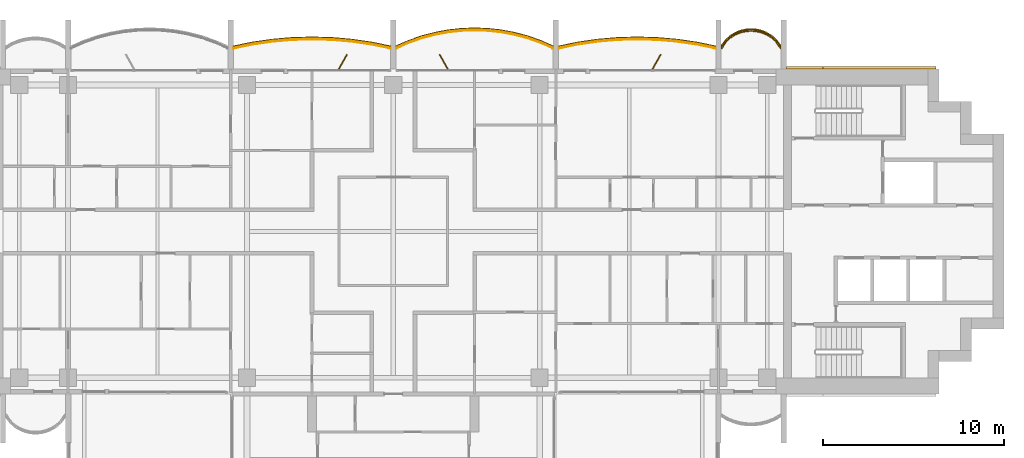
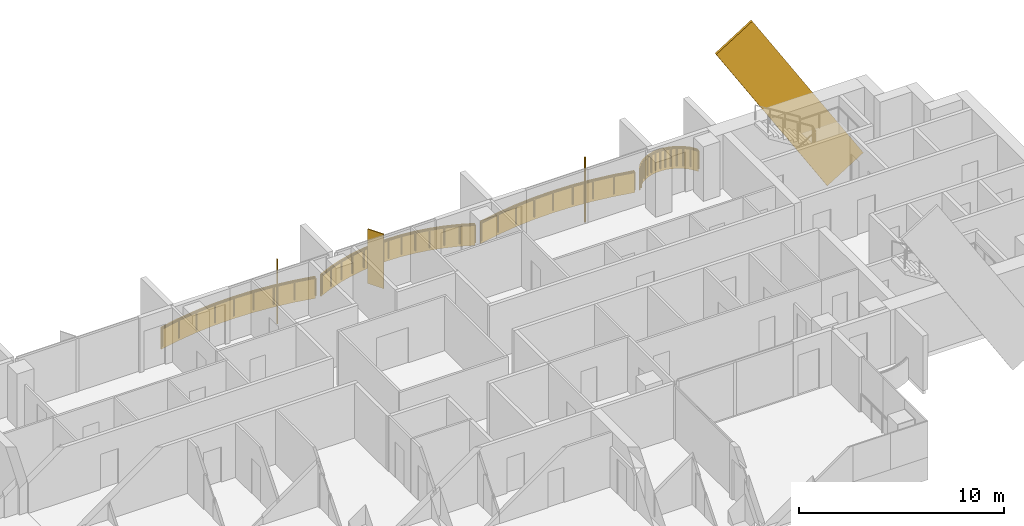
# One storey, part 17 of 17: 5 coverings, 4 railings, 3 shading devices.
"""IFC4 building model written with IfcOpenShell, lengths in metres."""

from ifc_helpers import new_model, si_unit, direction, frame, origin, origin_2d, place, context, subcontext, project, spatial, polyline, rectangle, outline, extrude, material, layer, layer_set, material_profile, profile_set, type_object, element, save


model = new_model("IFC4")

# Units and contexts
model_context = context("Model", 3, precision=1e-05, world=origin(), true_north=direction((0.0, 1.0)))
body_context = subcontext(model_context, "Body", "Model", "MODEL_VIEW")
ifc_project = project(units=[si_unit("LENGTHUNIT", "METRE"), si_unit("AREAUNIT", "SQUARE_METRE"), si_unit("VOLUMEUNIT", "CUBIC_METRE"), si_unit("PLANEANGLEUNIT", "RADIAN"), si_unit("MASSUNIT", "GRAM", prefix="KILO")], contexts=[model_context])

# Site, building, storey
site_placement = place(None, origin())
site = spatial("IfcSite", under=ifc_project, at=site_placement, CompositionType="ELEMENT")
building_placement = place(site_placement, origin())
building = spatial("IfcBuilding", under=site, at=building_placement, Name="Perihelion Cross Residences", CompositionType="ELEMENT")
storey_placement = place(building_placement, frame((0.0, 0.0, 208.60009765625)))
storey = spatial("IfcBuildingStorey", under=building, at=storey_placement, Name="L52", CompositionType="ELEMENT", Elevation=208.60009765625)

# Coverings
ifc_material_1 = material(Name="Bronze anodised aluminium", Category="aluminium")
ifc_layer_1 = layer(ifc_material_1, 0.070068359375)
ifc_layer_set_1 = layer_set([ifc_layer_1], Name="Balcony fascia 1300")
covering_type_1 = type_object("IfcCoveringType", Name="Balcony fascia 1300", PredefinedType="CLADDING", material=ifc_layer_set_1)
covering_1_placement = place(storey_placement, frame((0.0, 0.0, -0.2001953125)))
element("IfcCovering", 1, at=covering_1_placement, inside=storey, type_object=covering_type_1, Name="Fascia BF1 L52 east side north bay 1", PredefinedType="CLADDING", context=body_context, shape_type="SweptSolid", body=[
    extrude(outline(polyline([(21.226318359375, 10.616455078125), (20.94091796875, 10.86328125), (20.655517578125, 11.031494140625), (20.370361328125, 11.142578125), (20.085205078125, 11.206298828125), (19.800048828125, 11.22705078125), (19.514892578125, 11.206298828125), (19.229736328125, 11.142578125), (18.9443359375, 11.031494140625), (18.6591796875, 10.86328125), (18.373779296875, 10.616455078125), (18.14990234375, 10.31689453125), (18.14990234375, 10.199951171875), (18.425048828125, 10.568603515625), (18.699951171875, 10.806396484375), (18.97509765625, 10.96875), (19.25, 11.07568359375), (19.52490234375, 11.136962890625), (19.800048828125, 11.156982421875), (20.074951171875, 11.136962890625), (20.35009765625, 11.07568359375), (20.625, 10.96875), (20.89990234375, 10.806396484375), (21.175048828125, 10.568603515625), (21.449951171875, 10.199951171875), (21.449951171875, 10.31689453125), (21.226318359375, 10.616455078125)])), origin(), (0.0, 0.0, 1.0), 1.300048828125),
])
covering_2_placement = place(storey_placement, frame((0.0, 0.0, -0.2001953125)))
element("IfcCovering", 2, at=covering_2_placement, inside=storey, type_object=covering_type_1, Name="Fascia BF1 L52 east side north bay 2", PredefinedType="CLADDING", context=body_context, shape_type="SweptSolid", body=[
    extrude(outline(polyline([(16.7744140625, 10.4892578125), (15.682861328125, 10.645751953125), (14.591552734375, 10.739013671875), (13.5, 10.77001953125), (12.408447265625, 10.739013671875), (11.317138671875, 10.645751953125), (10.2255859375, 10.4892578125), (9.14990234375, 10.271484375), (9.14990234375, 10.199951171875), (10.237548828125, 10.42041015625), (11.324951171875, 10.576171875), (12.41259765625, 10.669189453125), (13.5, 10.699951171875), (14.58740234375, 10.669189453125), (15.675048828125, 10.576171875), (16.762451171875, 10.42041015625), (17.85009765625, 10.199951171875), (17.85009765625, 10.271484375), (16.7744140625, 10.4892578125)])), origin(), (0.0, 0.0, 1.0), 1.300048828125),
])
covering_3_placement = place(storey_placement, frame((0.0, 0.0, -0.2001953125)))
element("IfcCovering", 3, at=covering_3_placement, inside=storey, type_object=covering_type_1, Name="Fascia BF1 L52 north side east bay 1", PredefinedType="CLADDING", context=body_context, shape_type="SweptSolid", body=[
    extrude(outline(polyline([(8.150634765625, 10.582275390625), (7.42041015625, 10.83544921875), (6.690185546875, 11.028076171875), (5.960205078125, 11.1630859375), (5.22998046875, 11.243408203125), (4.5, 11.27001953125), (3.77001953125, 11.243408203125), (3.039794921875, 11.1630859375), (2.309814453125, 11.028076171875), (1.57958984375, 10.83544921875), (0.849365234375, 10.582275390625), (0.14990234375, 10.2763671875), (0.14990234375, 10.199951171875), (0.875, 10.51708984375), (1.60009765625, 10.7685546875), (2.324951171875, 10.959716796875), (3.050048828125, 11.093994140625), (3.77490234375, 11.173583984375), (4.5, 11.199951171875), (5.22509765625, 11.173583984375), (5.949951171875, 11.093994140625), (6.675048828125, 10.959716796875), (7.39990234375, 10.7685546875), (8.125, 10.51708984375), (8.85009765625, 10.199951171875), (8.85009765625, 10.2763671875), (8.150634765625, 10.582275390625)])), origin(), (0.0, 0.0, 1.0), 1.300048828125),
])
covering_4_placement = place(storey_placement, frame((0.0, 0.0, -0.2001953125)))
element("IfcCovering", 4, at=covering_4_placement, inside=storey, type_object=covering_type_1, Name="Fascia BF1 L52 north side east bay 2", PredefinedType="CLADDING", context=body_context, shape_type="SweptSolid", body=[
    extrude(outline(polyline([(-1.2255859375, 10.4892578125), (-2.317138671875, 10.645751953125), (-3.408447265625, 10.739013671875), (-4.5, 10.77001953125), (-5.591552734375, 10.739013671875), (-6.682861328125, 10.645751953125), (-7.7744140625, 10.4892578125), (-8.85009765625, 10.271484375), (-8.85009765625, 10.199951171875), (-7.762451171875, 10.42041015625), (-6.675048828125, 10.576171875), (-5.58740234375, 10.669189453125), (-4.5, 10.699951171875), (-3.41259765625, 10.669189453125), (-2.324951171875, 10.576171875), (-1.237548828125, 10.42041015625), (-0.14990234375, 10.199951171875), (-0.14990234375, 10.271484375), (-1.2255859375, 10.4892578125)])), origin(), (0.0, 0.0, 1.0), 1.300048828125),
])

# Railings
ifc_material_2 = material(Name="Bronze anodised aluminium", Category="aluminium")
railing_type = type_object("IfcRailingType", Name="Balcony guard 1100", PredefinedType="GUARDRAIL", material=ifc_material_2)
railing_1_placement = place(storey_placement, frame((21.425048828125, 10.139892578125, 0.0)))
element("IfcRailing", 5, at=railing_1_placement, inside=storey, type_object=railing_type, Name="Guard GU1 L52 east side north bay 1 balcony", PredefinedType="GUARDRAIL", context=body_context, shape_type="SweptSolid", body=[
    extrude(rectangle(XDim=0.048095703125, YDim=0.048095703125, at=origin_2d()), frame((0.0, 0.0, 1.076171875), z_axis=(-0.561260132269, 0.827639452857, 0.0), x_axis=(-0.827639452857, -0.561260132269, 0.0)), (0.0, 0.0, 1.0), 0.4453125),
    extrude(rectangle(XDim=0.048095703125, YDim=0.048095703125, at=origin_2d()), frame((-0.25, 0.36865234375, 1.076171875), z_axis=(-0.756596535164, 0.653882009982, 0.0), x_axis=(-0.653882009982, -0.756596535164, 0.0)), (0.0, 0.0, 1.0), 0.36376953125),
    extrude(rectangle(XDim=0.048095703125, YDim=0.048095703125, at=origin_2d()), frame((-0.525146484375, 0.6064453125, 1.076171875), z_axis=(-0.861048292884, 0.508523192511, 0.0), x_axis=(-0.508523192511, -0.861048292884, 0.0)), (0.0, 0.0, 1.0), 0.3193359375),
    extrude(rectangle(XDim=0.048095703125, YDim=0.048095703125, at=origin_2d()), frame((-0.800048828125, 0.768798828125, 1.076171875), z_axis=(-0.931973602183, 0.362526143656, 0.0), x_axis=(-0.362526143656, -0.931973602183, 0.0)), (0.0, 0.0, 1.0), 0.294921875),
    extrude(rectangle(XDim=0.048095703125, YDim=0.048095703125, at=origin_2d()), frame((-1.074951171875, 0.875732421875, 1.076171875), z_axis=(-0.976085059389, 0.21738895289, 0.0), x_axis=(-0.21738895289, -0.976085059389, 0.0)), (0.0, 0.0, 1.0), 0.281982421875),
    extrude(rectangle(XDim=0.048095703125, YDim=0.048095703125, at=origin_2d()), frame((-1.35009765625, 0.93701171875, 1.076171875), z_axis=(-0.997358821833, 0.072631814734, 0.0), x_axis=(-0.072631814734, -0.997358821833, 0.0)), (0.0, 0.0, 1.0), 0.275634765625),
    extrude(rectangle(XDim=0.048095703125, YDim=0.048095703125, at=origin_2d()), frame((-1.625, 0.95703125, 1.076171875), z_axis=(-0.997363488337, -0.072567707226, 0.0), x_axis=(0.072567707226, -0.997363488337, 0.0)), (0.0, 0.0, 1.0), 0.27587890625),
    extrude(rectangle(XDim=0.048095703125, YDim=0.048095703125, at=origin_2d()), frame((-1.900146484375, 0.93701171875, 1.076171875), z_axis=(-0.976044077717, -0.217572880557, 0.0), x_axis=(0.217572880557, -0.976044077717, 0.0)), (0.0, 0.0, 1.0), 0.28173828125),
    extrude(rectangle(XDim=0.048095703125, YDim=0.048095703125, at=origin_2d()), frame((-2.175048828125, 0.875732421875, 1.076171875), z_axis=(-0.931973602183, -0.362526143656, 0.0), x_axis=(0.362526143656, -0.931973602183, 0.0)), (0.0, 0.0, 1.0), 0.294921875),
    extrude(rectangle(XDim=0.048095703125, YDim=0.048095703125, at=origin_2d()), frame((-2.449951171875, 0.768798828125, 1.076171875), z_axis=(-0.861245845072, -0.508188542123, 0.0), x_axis=(0.508188542123, -0.861245845072, 0.0)), (0.0, 0.0, 1.0), 0.319580078125),
    extrude(rectangle(XDim=0.048095703125, YDim=0.048095703125, at=origin_2d()), frame((-2.72509765625, 0.6064453125, 1.076171875), z_axis=(-0.756309278473, -0.654214242658, 0.0), x_axis=(0.654214242658, -0.756309278473, 0.0)), (0.0, 0.0, 1.0), 0.363525390625),
    extrude(rectangle(XDim=0.048095703125, YDim=0.048095703125, at=origin_2d()), frame((-3.0, 0.36865234375, 1.076171875), z_axis=(-0.561260132269, -0.827639452857, 0.0), x_axis=(0.827639452857, -0.561260132269, 0.0)), (0.0, 0.0, 1.0), 0.4453125),
    extrude(rectangle(XDim=0.0419921875, YDim=0.0419921875, at=origin_2d()), origin(), (0.0, 0.0, 1.0), 1.052001953125),
    extrude(rectangle(XDim=0.0419921875, YDim=0.0419921875, at=origin_2d()), frame((-0.25, 0.36865234375, 0.0)), (0.0, 0.0, 1.0), 1.052001953125),
    extrude(rectangle(XDim=0.0419921875, YDim=0.0419921875, at=origin_2d()), frame((-0.525146484375, 0.6064453125, 0.0)), (0.0, 0.0, 1.0), 1.052001953125),
    extrude(rectangle(XDim=0.0419921875, YDim=0.0419921875, at=origin_2d()), frame((-0.800048828125, 0.768798828125, 0.0)), (0.0, 0.0, 1.0), 1.052001953125),
    extrude(rectangle(XDim=0.0419921875, YDim=0.0419921875, at=origin_2d()), frame((-1.074951171875, 0.875732421875, 0.0)), (0.0, 0.0, 1.0), 1.052001953125),
    extrude(rectangle(XDim=0.0419921875, YDim=0.0419921875, at=origin_2d()), frame((-1.35009765625, 0.93701171875, 0.0)), (0.0, 0.0, 1.0), 1.052001953125),
    extrude(rectangle(XDim=0.0419921875, YDim=0.0419921875, at=origin_2d()), frame((-1.625, 0.95703125, 0.0)), (0.0, 0.0, 1.0), 1.052001953125),
    extrude(rectangle(XDim=0.0419921875, YDim=0.0419921875, at=origin_2d()), frame((-1.900146484375, 0.93701171875, 0.0)), (0.0, 0.0, 1.0), 1.052001953125),
    extrude(rectangle(XDim=0.0419921875, YDim=0.0419921875, at=origin_2d()), frame((-2.175048828125, 0.875732421875, 0.0)), (0.0, 0.0, 1.0), 1.052001953125),
    extrude(rectangle(XDim=0.0419921875, YDim=0.0419921875, at=origin_2d()), frame((-2.449951171875, 0.768798828125, 0.0)), (0.0, 0.0, 1.0), 1.052001953125),
    extrude(rectangle(XDim=0.0419921875, YDim=0.0419921875, at=origin_2d()), frame((-2.72509765625, 0.6064453125, 0.0)), (0.0, 0.0, 1.0), 1.052001953125),
    extrude(rectangle(XDim=0.0419921875, YDim=0.0419921875, at=origin_2d()), frame((-3.0, 0.36865234375, 0.0)), (0.0, 0.0, 1.0), 1.052001953125),
    extrude(rectangle(XDim=0.0419921875, YDim=0.0419921875, at=origin_2d()), frame((-3.25, 0.0, 0.0)), (0.0, 0.0, 1.0), 1.052001953125),
])
railing_2_placement = place(storey_placement, frame((17.824951171875, 10.139892578125, 0.0)))
element("IfcRailing", 6, at=railing_2_placement, inside=storey, type_object=railing_type, Name="Guard GU1 L52 east side north bay 2 balcony", PredefinedType="GUARDRAIL", context=body_context, shape_type="SweptSolid", body=[
    extrude(rectangle(XDim=0.048095703125, YDim=0.048095703125, at=origin_2d()), frame((0.0, 0.0, 1.076171875), z_axis=(-0.979144816647, 0.203163549961, 0.0), x_axis=(-0.203163549961, -0.979144816647, 0.0)), (0.0, 0.0, 1.0), 1.085205078125),
    extrude(rectangle(XDim=0.048095703125, YDim=0.048095703125, at=origin_2d()), frame((-1.0625, 0.220458984375, 1.076171875), z_axis=(-0.98989608354, 0.141794724135, 0.0), x_axis=(-0.141794724135, -0.98989608354, 0.0)), (0.0, 0.0, 1.0), 1.098388671875),
    extrude(rectangle(XDim=0.048095703125, YDim=0.048095703125, at=origin_2d()), frame((-2.14990234375, 0.376220703125, 1.076171875), z_axis=(-0.996362942492, 0.085210837506, 0.0), x_axis=(-0.085210837506, -0.996362942492, 0.0)), (0.0, 0.0, 1.0), 1.091552734375),
    extrude(rectangle(XDim=0.048095703125, YDim=0.048095703125, at=origin_2d()), frame((-3.237548828125, 0.46923828125, 1.076171875), z_axis=(-0.999600101203, 0.028277865458, 0.0), x_axis=(-0.028277865458, -0.999600101203, 0.0)), (0.0, 0.0, 1.0), 1.087890625),
    extrude(rectangle(XDim=0.048095703125, YDim=0.048095703125, at=origin_2d()), frame((-4.324951171875, 0.5, 1.076171875), z_axis=(-0.999600101203, -0.028277865458, 0.0), x_axis=(0.028277865458, -0.999600101203, 0.0)), (0.0, 0.0, 1.0), 1.087890625),
    extrude(rectangle(XDim=0.048095703125, YDim=0.048095703125, at=origin_2d()), frame((-5.412353515625, 0.46923828125, 1.076171875), z_axis=(-0.996362942492, -0.085210837506, 0.0), x_axis=(0.085210837506, -0.996362942492, 0.0)), (0.0, 0.0, 1.0), 1.091552734375),
    extrude(rectangle(XDim=0.048095703125, YDim=0.048095703125, at=origin_2d()), frame((-6.5, 0.376220703125, 1.076171875), z_axis=(-0.98989608354, -0.141794724135, 0.0), x_axis=(0.141794724135, -0.98989608354, 0.0)), (0.0, 0.0, 1.0), 1.098388671875),
    extrude(rectangle(XDim=0.048095703125, YDim=0.048095703125, at=origin_2d()), frame((-7.58740234375, 0.220458984375, 1.076171875), z_axis=(-0.979144816647, -0.203163549961, 0.0), x_axis=(0.203163549961, -0.979144816647, 0.0)), (0.0, 0.0, 1.0), 1.085205078125),
    extrude(rectangle(XDim=0.0419921875, YDim=0.0419921875, at=origin_2d()), origin(), (0.0, 0.0, 1.0), 1.052001953125),
    extrude(rectangle(XDim=0.0419921875, YDim=0.0419921875, at=origin_2d()), frame((-1.0625, 0.220458984375, 0.0)), (0.0, 0.0, 1.0), 1.052001953125),
    extrude(rectangle(XDim=0.0419921875, YDim=0.0419921875, at=origin_2d()), frame((-2.14990234375, 0.376220703125, 0.0)), (0.0, 0.0, 1.0), 1.052001953125),
    extrude(rectangle(XDim=0.0419921875, YDim=0.0419921875, at=origin_2d()), frame((-3.237548828125, 0.46923828125, 0.0)), (0.0, 0.0, 1.0), 1.052001953125),
    extrude(rectangle(XDim=0.0419921875, YDim=0.0419921875, at=origin_2d()), frame((-4.324951171875, 0.5, 0.0)), (0.0, 0.0, 1.0), 1.052001953125),
    extrude(rectangle(XDim=0.0419921875, YDim=0.0419921875, at=origin_2d()), frame((-5.412353515625, 0.46923828125, 0.0)), (0.0, 0.0, 1.0), 1.052001953125),
    extrude(rectangle(XDim=0.0419921875, YDim=0.0419921875, at=origin_2d()), frame((-6.5, 0.376220703125, 0.0)), (0.0, 0.0, 1.0), 1.052001953125),
    extrude(rectangle(XDim=0.0419921875, YDim=0.0419921875, at=origin_2d()), frame((-7.58740234375, 0.220458984375, 0.0)), (0.0, 0.0, 1.0), 1.052001953125),
    extrude(rectangle(XDim=0.0419921875, YDim=0.0419921875, at=origin_2d()), frame((-8.64990234375, 0.0, 0.0)), (0.0, 0.0, 1.0), 1.052001953125),
])
railing_3_placement = place(storey_placement, frame((8.824951171875, 10.139892578125, 0.0)))
element("IfcRailing", 7, at=railing_3_placement, inside=storey, type_object=railing_type, Name="Guard GU1 L52 north side east bay 1 balcony", PredefinedType="GUARDRAIL", context=body_context, shape_type="SweptSolid", body=[
    extrude(rectangle(XDim=0.048095703125, YDim=0.048095703125, at=origin_2d()), frame((0.0, 0.0, 1.076171875), z_axis=(-0.910866309087, 0.412701547089, 0.0), x_axis=(-0.412701547089, -0.910866309087, 0.0)), (0.0, 0.0, 1.0), 0.7685546875),
    extrude(rectangle(XDim=0.048095703125, YDim=0.048095703125, at=origin_2d()), frame((-0.699951171875, 0.317138671875, 1.076171875), z_axis=(-0.944796812452, 0.327656807012, 0.0), x_axis=(-0.327656807012, -0.944796812452, 0.0)), (0.0, 0.0, 1.0), 0.767578125),
    extrude(rectangle(XDim=0.048095703125, YDim=0.048095703125, at=origin_2d()), frame((-1.425048828125, 0.568603515625, 1.076171875), z_axis=(-0.966939404945, 0.255006249266, 0.0), x_axis=(-0.255006249266, -0.966939404945, 0.0)), (0.0, 0.0, 1.0), 0.749755859375),
    extrude(rectangle(XDim=0.048095703125, YDim=0.048095703125, at=origin_2d()), frame((-2.14990234375, 0.759765625, 1.076171875), z_axis=(-0.983282004984, 0.182089260182, 0.0), x_axis=(-0.182089260182, -0.983282004984, 0.0)), (0.0, 0.0, 1.0), 0.7373046875),
    extrude(rectangle(XDim=0.048095703125, YDim=0.048095703125, at=origin_2d()), frame((-2.875, 0.89404296875, 1.076171875), z_axis=(-0.994025805622, 0.109145305703, 0.0), x_axis=(-0.109145305703, -0.994025805622, 0.0)), (0.0, 0.0, 1.0), 0.729248046875),
    extrude(rectangle(XDim=0.048095703125, YDim=0.048095703125, at=origin_2d()), frame((-3.599853515625, 0.9736328125, 1.076171875), z_axis=(-0.999339497946, 0.036339618107, 0.0), x_axis=(-0.036339618107, -0.999339497946, 0.0)), (0.0, 0.0, 1.0), 0.7255859375),
    extrude(rectangle(XDim=0.048095703125, YDim=0.048095703125, at=origin_2d()), frame((-4.324951171875, 1.0, 1.076171875), z_axis=(-0.999339497946, -0.036339618107, 0.0), x_axis=(0.036339618107, -0.999339497946, 0.0)), (0.0, 0.0, 1.0), 0.7255859375),
    extrude(rectangle(XDim=0.048095703125, YDim=0.048095703125, at=origin_2d()), frame((-5.050048828125, 0.9736328125, 1.076171875), z_axis=(-0.994025805622, -0.109145305703, 0.0), x_axis=(0.109145305703, -0.994025805622, 0.0)), (0.0, 0.0, 1.0), 0.729248046875),
    extrude(rectangle(XDim=0.048095703125, YDim=0.048095703125, at=origin_2d()), frame((-5.77490234375, 0.89404296875, 1.076171875), z_axis=(-0.983282004984, -0.182089260182, 0.0), x_axis=(0.182089260182, -0.983282004984, 0.0)), (0.0, 0.0, 1.0), 0.7373046875),
    extrude(rectangle(XDim=0.048095703125, YDim=0.048095703125, at=origin_2d()), frame((-6.5, 0.759765625, 1.076171875), z_axis=(-0.966939404945, -0.255006249266, 0.0), x_axis=(0.255006249266, -0.966939404945, 0.0)), (0.0, 0.0, 1.0), 0.749755859375),
    extrude(rectangle(XDim=0.048095703125, YDim=0.048095703125, at=origin_2d()), frame((-7.224853515625, 0.568603515625, 1.076171875), z_axis=(-0.944796812452, -0.327656807012, 0.0), x_axis=(0.327656807012, -0.944796812452, 0.0)), (0.0, 0.0, 1.0), 0.767578125),
    extrude(rectangle(XDim=0.048095703125, YDim=0.048095703125, at=origin_2d()), frame((-7.949951171875, 0.317138671875, 1.076171875), z_axis=(-0.910866309087, -0.412701547089, 0.0), x_axis=(0.412701547089, -0.910866309087, 0.0)), (0.0, 0.0, 1.0), 0.7685546875),
    extrude(rectangle(XDim=0.0419921875, YDim=0.0419921875, at=origin_2d()), origin(), (0.0, 0.0, 1.0), 1.052001953125),
    extrude(rectangle(XDim=0.0419921875, YDim=0.0419921875, at=origin_2d()), frame((-0.699951171875, 0.317138671875, 0.0)), (0.0, 0.0, 1.0), 1.052001953125),
    extrude(rectangle(XDim=0.0419921875, YDim=0.0419921875, at=origin_2d()), frame((-1.425048828125, 0.568603515625, 0.0)), (0.0, 0.0, 1.0), 1.052001953125),
    extrude(rectangle(XDim=0.0419921875, YDim=0.0419921875, at=origin_2d()), frame((-2.14990234375, 0.759765625, 0.0)), (0.0, 0.0, 1.0), 1.052001953125),
    extrude(rectangle(XDim=0.0419921875, YDim=0.0419921875, at=origin_2d()), frame((-2.875, 0.89404296875, 0.0)), (0.0, 0.0, 1.0), 1.052001953125),
    extrude(rectangle(XDim=0.0419921875, YDim=0.0419921875, at=origin_2d()), frame((-3.599853515625, 0.9736328125, 0.0)), (0.0, 0.0, 1.0), 1.052001953125),
    extrude(rectangle(XDim=0.0419921875, YDim=0.0419921875, at=origin_2d()), frame((-4.324951171875, 1.0, 0.0)), (0.0, 0.0, 1.0), 1.052001953125),
    extrude(rectangle(XDim=0.0419921875, YDim=0.0419921875, at=origin_2d()), frame((-5.050048828125, 0.9736328125, 0.0)), (0.0, 0.0, 1.0), 1.052001953125),
    extrude(rectangle(XDim=0.0419921875, YDim=0.0419921875, at=origin_2d()), frame((-5.77490234375, 0.89404296875, 0.0)), (0.0, 0.0, 1.0), 1.052001953125),
    extrude(rectangle(XDim=0.0419921875, YDim=0.0419921875, at=origin_2d()), frame((-6.5, 0.759765625, 0.0)), (0.0, 0.0, 1.0), 1.052001953125),
    extrude(rectangle(XDim=0.0419921875, YDim=0.0419921875, at=origin_2d()), frame((-7.224853515625, 0.568603515625, 0.0)), (0.0, 0.0, 1.0), 1.052001953125),
    extrude(rectangle(XDim=0.0419921875, YDim=0.0419921875, at=origin_2d()), frame((-7.949951171875, 0.317138671875, 0.0)), (0.0, 0.0, 1.0), 1.052001953125),
    extrude(rectangle(XDim=0.0419921875, YDim=0.0419921875, at=origin_2d()), frame((-8.64990234375, 0.0, 0.0)), (0.0, 0.0, 1.0), 1.052001953125),
])
railing_4_placement = place(storey_placement, frame((-0.175048828125, 10.139892578125, 0.0)))
element("IfcRailing", 8, at=railing_4_placement, inside=storey, type_object=railing_type, Name="Guard GU1 L52 north side east bay 2 balcony", PredefinedType="GUARDRAIL", context=body_context, shape_type="SweptSolid", body=[
    extrude(rectangle(XDim=0.048095703125, YDim=0.048095703125, at=origin_2d()), frame((0.0, 0.0, 1.076171875), z_axis=(-0.979144816647, 0.203163549961, 0.0), x_axis=(-0.203163549961, -0.979144816647, 0.0)), (0.0, 0.0, 1.0), 1.085205078125),
    extrude(rectangle(XDim=0.048095703125, YDim=0.048095703125, at=origin_2d()), frame((-1.0625, 0.220458984375, 1.076171875), z_axis=(-0.98989608354, 0.141794724135, 0.0), x_axis=(-0.141794724135, -0.98989608354, 0.0)), (0.0, 0.0, 1.0), 1.098388671875),
    extrude(rectangle(XDim=0.048095703125, YDim=0.048095703125, at=origin_2d()), frame((-2.14990234375, 0.376220703125, 1.076171875), z_axis=(-0.996362942492, 0.085210837506, 0.0), x_axis=(-0.085210837506, -0.996362942492, 0.0)), (0.0, 0.0, 1.0), 1.091552734375),
    extrude(rectangle(XDim=0.048095703125, YDim=0.048095703125, at=origin_2d()), frame((-3.237548828125, 0.46923828125, 1.076171875), z_axis=(-0.999600101203, 0.028277865458, 0.0), x_axis=(-0.028277865458, -0.999600101203, 0.0)), (0.0, 0.0, 1.0), 1.087890625),
    extrude(rectangle(XDim=0.048095703125, YDim=0.048095703125, at=origin_2d()), frame((-4.324951171875, 0.5, 1.076171875), z_axis=(-0.999600101203, -0.028277865458, 0.0), x_axis=(0.028277865458, -0.999600101203, 0.0)), (0.0, 0.0, 1.0), 1.087890625),
    extrude(rectangle(XDim=0.048095703125, YDim=0.048095703125, at=origin_2d()), frame((-5.412353515625, 0.46923828125, 1.076171875), z_axis=(-0.996362942492, -0.085210837506, 0.0), x_axis=(0.085210837506, -0.996362942492, 0.0)), (0.0, 0.0, 1.0), 1.091552734375),
    extrude(rectangle(XDim=0.048095703125, YDim=0.048095703125, at=origin_2d()), frame((-6.5, 0.376220703125, 1.076171875), z_axis=(-0.98989608354, -0.141794724135, 0.0), x_axis=(0.141794724135, -0.98989608354, 0.0)), (0.0, 0.0, 1.0), 1.098388671875),
    extrude(rectangle(XDim=0.048095703125, YDim=0.048095703125, at=origin_2d()), frame((-7.58740234375, 0.220458984375, 1.076171875), z_axis=(-0.979144816647, -0.203163549961, 0.0), x_axis=(0.203163549961, -0.979144816647, 0.0)), (0.0, 0.0, 1.0), 1.085205078125),
    extrude(rectangle(XDim=0.0419921875, YDim=0.0419921875, at=origin_2d()), origin(), (0.0, 0.0, 1.0), 1.052001953125),
    extrude(rectangle(XDim=0.0419921875, YDim=0.0419921875, at=origin_2d()), frame((-1.0625, 0.220458984375, 0.0)), (0.0, 0.0, 1.0), 1.052001953125),
    extrude(rectangle(XDim=0.0419921875, YDim=0.0419921875, at=origin_2d()), frame((-2.14990234375, 0.376220703125, 0.0)), (0.0, 0.0, 1.0), 1.052001953125),
    extrude(rectangle(XDim=0.0419921875, YDim=0.0419921875, at=origin_2d()), frame((-3.237548828125, 0.46923828125, 0.0)), (0.0, 0.0, 1.0), 1.052001953125),
    extrude(rectangle(XDim=0.0419921875, YDim=0.0419921875, at=origin_2d()), frame((-4.324951171875, 0.5, 0.0)), (0.0, 0.0, 1.0), 1.052001953125),
    extrude(rectangle(XDim=0.0419921875, YDim=0.0419921875, at=origin_2d()), frame((-5.412353515625, 0.46923828125, 0.0)), (0.0, 0.0, 1.0), 1.052001953125),
    extrude(rectangle(XDim=0.0419921875, YDim=0.0419921875, at=origin_2d()), frame((-6.5, 0.376220703125, 0.0)), (0.0, 0.0, 1.0), 1.052001953125),
    extrude(rectangle(XDim=0.0419921875, YDim=0.0419921875, at=origin_2d()), frame((-7.58740234375, 0.220458984375, 0.0)), (0.0, 0.0, 1.0), 1.052001953125),
    extrude(rectangle(XDim=0.0419921875, YDim=0.0419921875, at=origin_2d()), frame((-8.64990234375, 0.0, 0.0)), (0.0, 0.0, 1.0), 1.052001953125),
])

# Covering
ifc_material_3 = material(Name="Bronze anodised aluminium", Category="aluminium")
ifc_material_profile = material_profile(ifc_material_3, rectangle(XDim=0.125, YDim=2.39990234375, at=origin_2d()), Name="Bronze cladding band 2400")
ifc_profile_set = profile_set([ifc_material_profile], Name="Bronze anodised aluminium")
covering_type_2 = type_object("IfcCoveringType", Name="Bronze cladding band 2400", PredefinedType="CLADDING", material=ifc_profile_set)
covering_5_placement = place(storey_placement, frame((29.0322265625, 9.0625, -1.996337890625), z_axis=(-0.529915403603, 0.0, 0.848050508534), x_axis=(0.0, -1.0, 0.0)))
element("IfcCovering", 9, at=covering_5_placement, inside=storey, type_object=covering_type_2, Name="Core cladding band, east core", PredefinedType="CLADDING", context=body_context, shape_type="SweptSolid", body=[
    extrude(rectangle(XDim=0.125, YDim=2.39990234375, at=origin_2d()), origin(), (0.0, 0.0, 1.0), 11.822021484375),
])

# Shading devices
ifc_material_4 = material(Name="Bronze anodised aluminium", Category="aluminium")
ifc_layer_2 = layer(ifc_material_4, 0.050048828125)
ifc_layer_set_2 = layer_set([ifc_layer_2], Name="Bronze fin 900")
shading_device_type = type_object("IfcShadingDeviceType", Name="Bronze fin 900", PredefinedType="USERDEFINED", material=ifc_layer_set_2)
for number, where, z_axis, x_axis, name in (
    (10, (14.574951171875, 9.3896484375, 0.0), (0.0, 0.0, 1.0), (0.5, 0.866025403784, 0.0), "Fin FN1 L52 east side north bay 2"),
    (11, (2.78759765625, 9.3896484375, 0.0), (0.0, 0.0, 1.0), (-0.5, 0.866025403784, 0.0), "Fin FN1 L52 north side east bay 1"),
    (12, (-2.78759765625, 9.3896484375, 0.0), (0.0, 0.0, 1.0), (0.5, 0.866025403784, 0.0), "Fin FN1 L52 north side east bay 2"),
):
    element("IfcShadingDevice", number, at=place(storey_placement, frame(where, z_axis=z_axis, x_axis=x_axis)), inside=storey, type_object=shading_device_type, Name=name, ObjectType="FIN", PredefinedType="USERDEFINED", context=body_context, shape_type="SweptSolid", body=[
        extrude(rectangle(XDim=0.89990234375, YDim=0.050048828125, at=origin_2d()), origin(), (0.0, 0.0, 1.0), 3.25),
    ])

save(model, "model.ifc")
